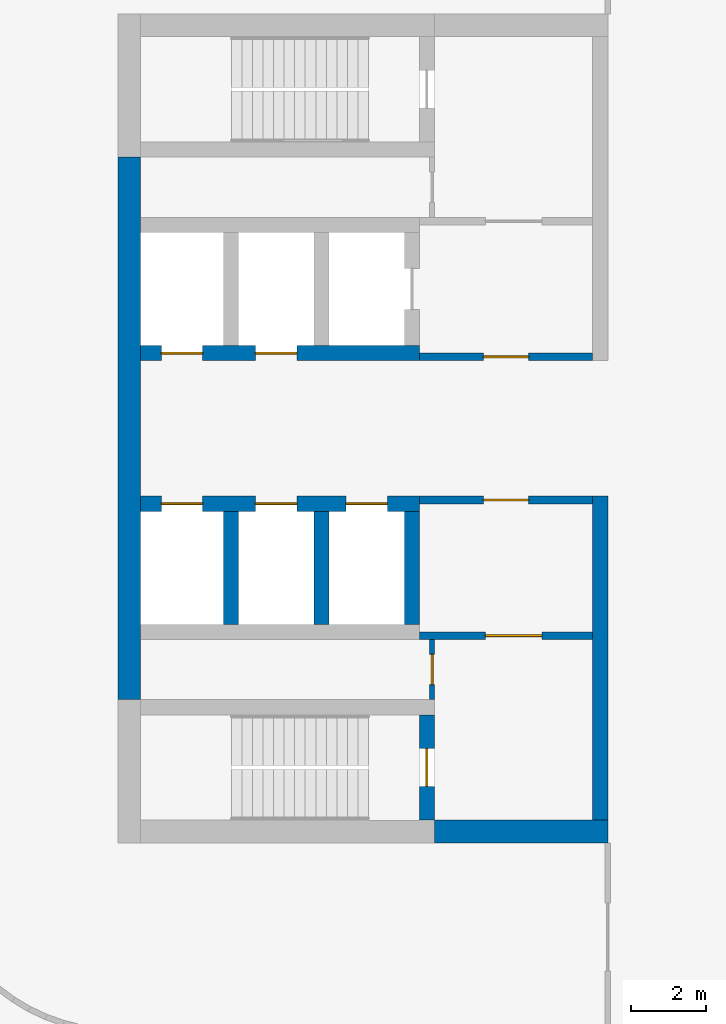
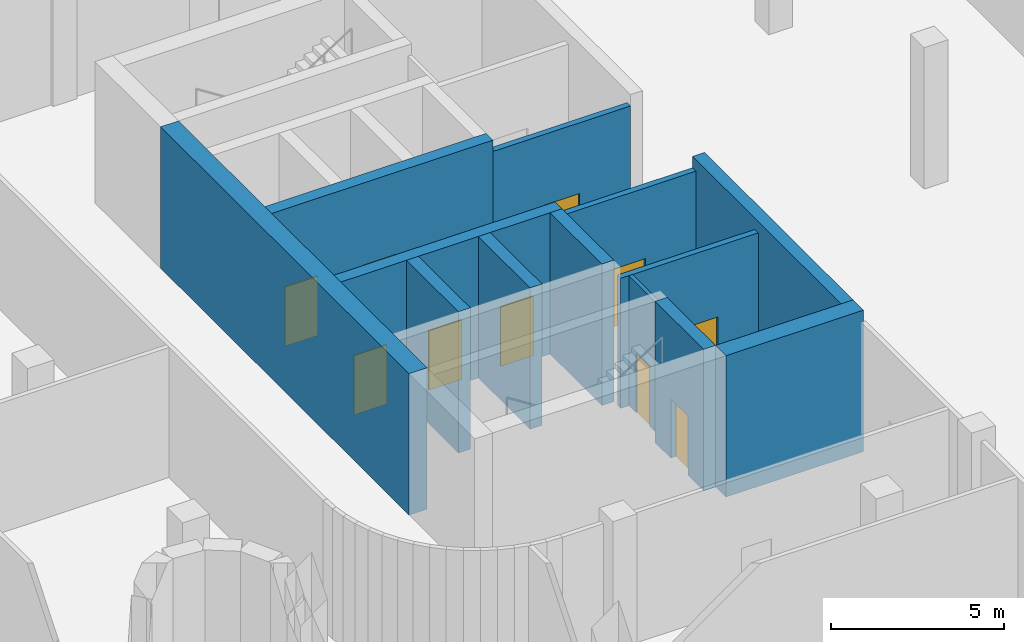
# One storey, part 15 of 24: 13 walls, 10 doors, 10 openings.
"""IFC4 building model written with IfcOpenShell, lengths in metres."""

from ifc_helpers import new_model, si_unit, direction, frame, frame_2d, origin, place, context, subcontext, project, spatial, rectangle, extrude, material, layer, layer_set, type_object, element, fill, save


model = new_model("IFC4")

# Units and contexts
model_context = context("Model", 3, precision=1e-05, world=origin(), true_north=direction((0.0, 1.0)))
body_context = subcontext(model_context, "Body", "Model", "MODEL_VIEW")
ifc_project = project(units=[si_unit("LENGTHUNIT", "METRE"), si_unit("AREAUNIT", "SQUARE_METRE"), si_unit("VOLUMEUNIT", "CUBIC_METRE"), si_unit("PLANEANGLEUNIT", "RADIAN"), si_unit("MASSUNIT", "GRAM", prefix="KILO")], contexts=[model_context])

# Site, building, storey
site_placement = place(None, origin())
site = spatial("IfcSite", under=ifc_project, at=site_placement, CompositionType="ELEMENT")
building_placement = place(site_placement, origin())
building = spatial("IfcBuilding", under=site, at=building_placement, Name="Skarvind Civic Tower", CompositionType="ELEMENT")
storey_placement = place(building_placement, frame((0.0, 0.0, 12.5)))
storey = spatial("IfcBuildingStorey", under=building, at=storey_placement, Name="L02", CompositionType="ELEMENT", Elevation=12.5)

# Wall, opening, door
ifc_material_1 = material(Name="Fire-rated masonry partition", Category="masonry")
ifc_layer_1 = layer(ifc_material_1, 0.199951171875)
ifc_layer_set_1 = layer_set([ifc_layer_1], Name="Core enclosure wall 200")
wall_type_1 = type_object("IfcWallType", Name="Core enclosure wall 200", PredefinedType="PARTITIONING", material=ifc_layer_set_1)
wall_1_placement = place(storey_placement, frame((135.0, 129.89990234375, 0.0), z_axis=(0.0, 0.0, 1.0), x_axis=(1.0, 0.0, 0.0)))
wall_1 = element("IfcWall", 1, at=wall_1_placement, inside=storey, type_object=wall_type_1, Name="Core wall CA", PredefinedType="PARTITIONING", context=body_context, shape_type="SweptSolid", body=[
    extrude(rectangle(XDim=4.60009765625, YDim=0.199951171875, at=frame_2d((2.300048828125, 0.0))), origin(), (0.0, 0.0, 1.0), 4.60009765625),
])
opening_1_placement = place(wall_1_placement, frame((1.699951171875, 0.0, 0.0)))
opening_1 = element("IfcOpeningElement", 2, at=opening_1_placement, cuts=wall_1, Name="Opening D-L02-CA-06", PredefinedType="OPENING", context=body_context, shape_type="SweptSolid", body=[
    extrude(rectangle(XDim=1.199951171875, YDim=2.10009765625, at=frame_2d((0.60009765625, 1.050048828125))), frame((0.0, 0.10986328125, 0.0), z_axis=(0.0, -1.0, 0.0), x_axis=(1.0, 0.0, 0.0)), (0.0, 0.0, 1.0), 0.219970703125),
])
ifc_material_2 = material(Name="Fire-rated steel door", Category="steel")
door_type_1 = type_object("IfcDoorType", Name="Core lobby door 1200", OperationType="NOTDEFINED", PredefinedType="DOOR", material=ifc_material_2)
door_1_placement = place(opening_1_placement, origin())
door_1 = element("IfcDoor", 3, at=door_1_placement, inside=storey, type_object=door_type_1, Name="Fire door", OperationType="DOUBLE_DOOR_SINGLE_SWING", OverallHeight=2.10009765625, OverallWidth=1.199951171875, PredefinedType="DOOR", context=body_context, shape_type="SweptSolid", body=[
    extrude(rectangle(XDim=1.199951171875, YDim=2.10009765625, at=frame_2d((0.60009765625, 1.050048828125))), frame((0.0, 0.02490234375, 0.0), z_axis=(0.0, -1.0, 0.0), x_axis=(1.0, 0.0, 0.0)), (0.0, 0.0, 1.0), 0.050048828125),
])
fill(opening_1, door_1)

wall_2_placement = place(storey_placement, frame((139.60009765625, 126.10009765625, 0.0), z_axis=(0.0, 0.0, 1.0), x_axis=(-1.0, 0.0, 0.0)))
wall_2 = element("IfcWall", 4, at=wall_2_placement, inside=storey, type_object=wall_type_1, Name="Core wall CA", PredefinedType="PARTITIONING", context=body_context, shape_type="SweptSolid", body=[
    extrude(rectangle(XDim=4.60009765625, YDim=0.199951171875, at=frame_2d((2.300048828125, 0.0))), origin(), (0.0, 0.0, 1.0), 4.60009765625),
])
opening_2_placement = place(wall_2_placement, frame((1.699951171875, 0.0, 0.0)))
opening_2 = element("IfcOpeningElement", 5, at=opening_2_placement, cuts=wall_2, Name="Opening D-L02-CA-10", PredefinedType="OPENING", context=body_context, shape_type="SweptSolid", body=[
    extrude(rectangle(XDim=1.199951171875, YDim=2.10009765625, at=frame_2d((0.60009765625, 1.050048828125))), frame((0.0, 0.10986328125, 0.0), z_axis=(0.0, -1.0, 0.0), x_axis=(1.0, 0.0, 0.0)), (0.0, 0.0, 1.0), 0.219970703125),
])
door_2_placement = place(opening_2_placement, origin())
door_2 = element("IfcDoor", 6, at=door_2_placement, inside=storey, type_object=door_type_1, Name="Fire door", OperationType="DOUBLE_DOOR_SINGLE_SWING", OverallHeight=2.10009765625, OverallWidth=1.199951171875, PredefinedType="DOOR", context=body_context, shape_type="SweptSolid", body=[
    extrude(rectangle(XDim=1.199951171875, YDim=2.10009765625, at=frame_2d((0.60009765625, 1.050048828125))), frame((0.0, 0.02490234375, 0.0), z_axis=(0.0, -1.0, 0.0), x_axis=(1.0, 0.0, 0.0)), (0.0, 0.0, 1.0), 0.050048828125),
])
fill(opening_2, door_2)

wall_3_placement = place(storey_placement, frame((139.60009765625, 122.5, 0.0), z_axis=(0.0, 0.0, 1.0), x_axis=(-1.0, 0.0, 0.0)))
wall_3 = element("IfcWall", 7, at=wall_3_placement, inside=storey, type_object=wall_type_1, Name="Core wall CA", PredefinedType="PARTITIONING", context=body_context, shape_type="SweptSolid", body=[
    extrude(rectangle(XDim=4.60009765625, YDim=0.199951171875, at=frame_2d((2.300048828125, 0.0))), origin(), (0.0, 0.0, 1.0), 4.60009765625),
])
opening_3_placement = place(wall_3_placement, frame((1.35009765625, 0.0, 0.0)))
opening_3 = element("IfcOpeningElement", 8, at=opening_3_placement, cuts=wall_3, Name="Opening D-L02-CA-11", PredefinedType="OPENING", context=body_context, shape_type="SweptSolid", body=[
    extrude(rectangle(XDim=1.5, YDim=2.10009765625, at=frame_2d((0.75, 1.050048828125))), frame((0.0, 0.10986328125, 0.0), z_axis=(0.0, -1.0, 0.0), x_axis=(1.0, 0.0, 0.0)), (0.0, 0.0, 1.0), 0.219970703125),
])
door_type_2 = type_object("IfcDoorType", Name="Fire door 1500", OperationType="NOTDEFINED", PredefinedType="DOOR", material=ifc_material_2)
door_3_placement = place(opening_3_placement, origin())
door_3 = element("IfcDoor", 9, at=door_3_placement, inside=storey, type_object=door_type_2, Name="Fire door", OperationType="DOUBLE_DOOR_SINGLE_SWING", OverallHeight=2.10009765625, OverallWidth=1.5, PredefinedType="DOOR", context=body_context, shape_type="SweptSolid", body=[
    extrude(rectangle(XDim=1.5, YDim=2.10009765625, at=frame_2d((0.75, 1.050048828125))), frame((0.0, 0.02490234375, 0.0), z_axis=(0.0, -1.0, 0.0), x_axis=(1.0, 0.0, 0.0)), (0.0, 0.0, 1.0), 0.050048828125),
])
fill(opening_3, door_3)

ifc_material_3 = material(Name="Concrete C80", Category="concrete")
ifc_layer_2 = layer(ifc_material_3, 0.39990234375)
ifc_layer_set_2 = layer_set([ifc_layer_2], Name="Core wall 400 C80")
wall_type_2 = type_object("IfcWallType", Name="Core wall 400 C80", PredefinedType="SHEAR", material=ifc_layer_set_2)
wall_4_placement = place(storey_placement, frame((135.199951171875, 117.60009765625, 0.0), z_axis=(0.0, 0.0, 1.0), x_axis=(0.0, 1.0, 0.0)))
wall_4 = element("IfcWall", 10, at=wall_4_placement, inside=storey, type_object=wall_type_2, Name="Core wall CA south stair end L02", PredefinedType="SHEAR", context=body_context, shape_type="SweptSolid", body=[
    extrude(rectangle(XDim=2.7998046875, YDim=0.39990234375, at=frame_2d((1.39990234375, 0.0))), origin(), (0.0, 0.0, 1.0), 5.0),
])
opening_4_placement = place(wall_4_placement, frame((0.89990234375, 0.0, 0.0)))
opening_4 = element("IfcOpeningElement", 11, at=opening_4_placement, cuts=wall_4, Name="Opening D-L02-CA-12", PredefinedType="OPENING", context=body_context, shape_type="SweptSolid", body=[
    extrude(rectangle(XDim=1.0, YDim=2.10009765625, at=frame_2d((0.5, 1.050048828125))), frame((0.0, 0.2099609375, 0.0), z_axis=(0.0, -1.0, 0.0), x_axis=(1.0, 0.0, 0.0)), (0.0, 0.0, 1.0), 0.419921875),
])
door_type_3 = type_object("IfcDoorType", Name="Fire door 1000", OperationType="NOTDEFINED", PredefinedType="DOOR", material=ifc_material_2)
door_4_placement = place(opening_4_placement, origin())
door_4 = element("IfcDoor", 12, at=door_4_placement, inside=storey, type_object=door_type_3, Name="Fire door", OperationType="SINGLE_SWING_RIGHT", OverallHeight=2.10009765625, OverallWidth=1.0, PredefinedType="DOOR", context=body_context, shape_type="SweptSolid", body=[
    extrude(rectangle(XDim=1.0, YDim=2.10009765625, at=frame_2d((0.5, 1.050048828125))), frame((0.0, 0.02490234375, 0.0), z_axis=(0.0, -1.0, 0.0), x_axis=(1.0, 0.0, 0.0)), (0.0, 0.0, 1.0), 0.050048828125),
])
fill(opening_4, door_4)

# Wall, openings, doors
wall_5_placement = place(storey_placement, frame((127.60009765625, 126.0, 0.0), z_axis=(0.0, 0.0, 1.0), x_axis=(1.0, 0.0, 0.0)))
wall_5 = element("IfcWall", 13, at=wall_5_placement, inside=storey, type_object=wall_type_2, Name="Core wall CA south lift row front L02", PredefinedType="SHEAR", context=body_context, shape_type="SweptSolid", body=[
    extrude(rectangle(XDim=7.39990234375, YDim=0.39990234375, at=frame_2d((3.699951171875, 0.0))), origin(), (0.0, 0.0, 1.0), 5.0),
])
opening_5_placement = place(wall_5_placement, frame((0.550048828125, 0.0, 0.0)))
opening_5 = element("IfcOpeningElement", 14, at=opening_5_placement, cuts=wall_5, Name="Opening LD04304", PredefinedType="OPENING", context=body_context, shape_type="SweptSolid", body=[
    extrude(rectangle(XDim=1.10009765625, YDim=2.10009765625, at=frame_2d((0.550048828125, 1.050048828125))), frame((0.0, 0.2099609375, 0.0), z_axis=(0.0, -1.0, 0.0), x_axis=(1.0, 0.0, 0.0)), (0.0, 0.0, 1.0), 0.419921875),
])
opening_6_placement = place(wall_5_placement, frame((3.050048828125, 0.0, 0.0)))
opening_6 = element("IfcOpeningElement", 15, at=opening_6_placement, cuts=wall_5, Name="Opening LD04305", PredefinedType="OPENING", context=body_context, shape_type="SweptSolid", body=[
    extrude(rectangle(XDim=1.10009765625, YDim=2.10009765625, at=frame_2d((0.550048828125, 1.050048828125))), frame((0.0, 0.2099609375, 0.0), z_axis=(0.0, -1.0, 0.0), x_axis=(1.0, 0.0, 0.0)), (0.0, 0.0, 1.0), 0.419921875),
])
opening_7_placement = place(wall_5_placement, frame((5.449951171875, 0.0, 0.0)))
opening_7 = element("IfcOpeningElement", 16, at=opening_7_placement, cuts=wall_5, Name="Opening LD04306", PredefinedType="OPENING", context=body_context, shape_type="SweptSolid", body=[
    extrude(rectangle(XDim=1.10009765625, YDim=2.10009765625, at=frame_2d((0.550048828125, 1.050048828125))), frame((0.0, 0.2099609375, 0.0), z_axis=(0.0, -1.0, 0.0), x_axis=(1.0, 0.0, 0.0)), (0.0, 0.0, 1.0), 0.419921875),
])
ifc_material_4 = material(Name="Stainless steel landing door", Category="steel")
door_type_4 = type_object("IfcDoorType", Name="Lift landing door 1100", OperationType="DOUBLE_DOOR_SLIDING", PredefinedType="DOOR", material=ifc_material_4)
door_5_placement = place(opening_5_placement, origin())
door_5 = element("IfcDoor", 17, at=door_5_placement, inside=storey, type_object=door_type_4, Name="Lift landing door", OperationType="DOUBLE_DOOR_SLIDING", OverallHeight=2.10009765625, OverallWidth=1.10009765625, PredefinedType="DOOR", context=body_context, shape_type="SweptSolid", body=[
    extrude(rectangle(XDim=1.10009765625, YDim=2.10009765625, at=frame_2d((0.550048828125, 1.050048828125))), frame((0.0, 0.02490234375, 0.0), z_axis=(0.0, -1.0, 0.0), x_axis=(1.0, 0.0, 0.0)), (0.0, 0.0, 1.0), 0.050048828125),
])
fill(opening_5, door_5)
door_6_placement = place(opening_6_placement, origin())
door_6 = element("IfcDoor", 18, at=door_6_placement, inside=storey, type_object=door_type_4, Name="Lift landing door", OperationType="DOUBLE_DOOR_SLIDING", OverallHeight=2.10009765625, OverallWidth=1.10009765625, PredefinedType="DOOR", context=body_context, shape_type="SweptSolid", body=[
    extrude(rectangle(XDim=1.10009765625, YDim=2.10009765625, at=frame_2d((0.550048828125, 1.050048828125))), frame((0.0, 0.02490234375, 0.0), z_axis=(0.0, -1.0, 0.0), x_axis=(1.0, 0.0, 0.0)), (0.0, 0.0, 1.0), 0.050048828125),
])
fill(opening_6, door_6)
door_7_placement = place(opening_7_placement, origin())
door_7 = element("IfcDoor", 19, at=door_7_placement, inside=storey, type_object=door_type_4, Name="Lift landing door", OperationType="DOUBLE_DOOR_SLIDING", OverallHeight=2.10009765625, OverallWidth=1.10009765625, PredefinedType="DOOR", context=body_context, shape_type="SweptSolid", body=[
    extrude(rectangle(XDim=1.10009765625, YDim=2.10009765625, at=frame_2d((0.550048828125, 1.050048828125))), frame((0.0, 0.02490234375, 0.0), z_axis=(0.0, -1.0, 0.0), x_axis=(1.0, 0.0, 0.0)), (0.0, 0.0, 1.0), 0.050048828125),
])
fill(opening_7, door_7)

# Walls
for number, where, z_axis, x_axis, name in (
    (20, (130.0, 122.800048828125, 0.0), (0.0, 0.0, 1.0), (0.0, 1.0, 0.0), "Core wall CA south lift row division 1 L02"),
    (21, (132.39990234375, 122.800048828125, 0.0), (0.0, 0.0, 1.0), (0.0, 1.0, 0.0), "Core wall CA south lift row division 2 L02"),
    (22, (134.800048828125, 122.800048828125, 0.0), (0.0, 0.0, 1.0), (0.0, 1.0, 0.0), "Core wall CA south lift row division 3 L02"),
):
    element("IfcWall", number, at=place(storey_placement, frame(where, z_axis=z_axis, x_axis=x_axis)), inside=storey, type_object=wall_type_2, Name=name, PredefinedType="SHEAR", context=body_context, shape_type="SweptSolid", body=[
        extrude(rectangle(XDim=3.0, YDim=0.39990234375, at=frame_2d((1.5, 0.0))), origin(), (0.0, 0.0, 1.0), 5.0),
    ])

# Wall, openings, doors
wall_6_placement = place(storey_placement, frame((127.60009765625, 130.0, 0.0), z_axis=(0.0, 0.0, 1.0), x_axis=(1.0, 0.0, 0.0)))
wall_6 = element("IfcWall", 23, at=wall_6_placement, inside=storey, type_object=wall_type_2, Name="Core wall CA north lift row front L02", PredefinedType="SHEAR", context=body_context, shape_type="SweptSolid", body=[
    extrude(rectangle(XDim=7.39990234375, YDim=0.39990234375, at=frame_2d((3.699951171875, 0.0))), origin(), (0.0, 0.0, 1.0), 5.0),
])
opening_8_placement = place(wall_6_placement, frame((0.550048828125, 0.0, 0.0)))
opening_8 = element("IfcOpeningElement", 24, at=opening_8_placement, cuts=wall_6, Name="Opening LD04301", PredefinedType="OPENING", context=body_context, shape_type="SweptSolid", body=[
    extrude(rectangle(XDim=1.10009765625, YDim=2.10009765625, at=frame_2d((0.550048828125, 1.050048828125))), frame((0.0, 0.2099609375, 0.0), z_axis=(0.0, -1.0, 0.0), x_axis=(1.0, 0.0, 0.0)), (0.0, 0.0, 1.0), 0.419921875),
])
opening_9_placement = place(wall_6_placement, frame((3.050048828125, 0.0, 0.0)))
opening_9 = element("IfcOpeningElement", 25, at=opening_9_placement, cuts=wall_6, Name="Opening LD04302", PredefinedType="OPENING", context=body_context, shape_type="SweptSolid", body=[
    extrude(rectangle(XDim=1.10009765625, YDim=2.10009765625, at=frame_2d((0.550048828125, 1.050048828125))), frame((0.0, 0.2099609375, 0.0), z_axis=(0.0, -1.0, 0.0), x_axis=(1.0, 0.0, 0.0)), (0.0, 0.0, 1.0), 0.419921875),
])
door_8_placement = place(opening_8_placement, origin())
door_8 = element("IfcDoor", 26, at=door_8_placement, inside=storey, type_object=door_type_4, Name="Lift landing door", OperationType="DOUBLE_DOOR_SLIDING", OverallHeight=2.10009765625, OverallWidth=1.10009765625, PredefinedType="DOOR", context=body_context, shape_type="SweptSolid", body=[
    extrude(rectangle(XDim=1.10009765625, YDim=2.10009765625, at=frame_2d((0.550048828125, 1.050048828125))), frame((0.0, 0.02490234375, 0.0), z_axis=(0.0, -1.0, 0.0), x_axis=(1.0, 0.0, 0.0)), (0.0, 0.0, 1.0), 0.050048828125),
])
fill(opening_8, door_8)
door_9_placement = place(opening_9_placement, origin())
door_9 = element("IfcDoor", 27, at=door_9_placement, inside=storey, type_object=door_type_4, Name="Lift landing door", OperationType="DOUBLE_DOOR_SLIDING", OverallHeight=2.10009765625, OverallWidth=1.10009765625, PredefinedType="DOOR", context=body_context, shape_type="SweptSolid", body=[
    extrude(rectangle(XDim=1.10009765625, YDim=2.10009765625, at=frame_2d((0.550048828125, 1.050048828125))), frame((0.0, 0.02490234375, 0.0), z_axis=(0.0, -1.0, 0.0), x_axis=(1.0, 0.0, 0.0)), (0.0, 0.0, 1.0), 0.050048828125),
])
fill(opening_9, door_9)

# Walls
wall_7_placement = place(storey_placement, frame((139.800048828125, 117.60009765625, 0.0), z_axis=(0.0, 0.0, 1.0), x_axis=(0.0, 1.0, 0.0)))
element("IfcWall", 28, at=wall_7_placement, inside=storey, type_object=wall_type_2, Name="Core wall CA south inner face L02", PredefinedType="SHEAR", context=body_context, shape_type="SweptSolid", body=[
    extrude(rectangle(XDim=8.599853515625, YDim=0.39990234375, at=frame_2d((4.2998046875, 0.0))), origin(), (0.0, 0.0, 1.0), 5.0),
])
ifc_layer_3 = layer(ifc_material_3, 0.60009765625)
ifc_layer_set_3 = layer_set([ifc_layer_3], Name="Core wall 600 C80")
wall_type_3 = type_object("IfcWallType", Name="Core wall 600 C80", PredefinedType="SHEAR", material=ifc_layer_set_3)
wall_8_placement = place(storey_placement, frame((127.300048828125, 120.800048828125, 0.0), z_axis=(0.0, 0.0, 1.0), x_axis=(0.0, 1.0, 0.0)))
element("IfcWall", 29, at=wall_8_placement, inside=storey, type_object=wall_type_3, Name="Core wall CA tip between the stairs L02", PredefinedType="SHEAR", context=body_context, shape_type="SweptSolid", body=[
    extrude(rectangle(XDim=14.39990234375, YDim=0.60009765625, at=frame_2d((7.199951171875, 0.0))), origin(), (0.0, 0.0, 1.0), 5.0),
])
wall_9_placement = place(storey_placement, frame((135.39990234375, 117.300048828125, 0.0), z_axis=(0.0, 0.0, 1.0), x_axis=(1.0, 0.0, 0.0)))
element("IfcWall", 30, at=wall_9_placement, inside=storey, type_object=wall_type_3, Name="Core wall CA south side L02", PredefinedType="SHEAR", context=body_context, shape_type="SweptSolid", body=[
    extrude(rectangle(XDim=4.60009765625, YDim=0.60009765625, at=frame_2d((2.300048828125, 0.0))), origin(), (0.0, 0.0, 1.0), 5.0),
])

# Wall, opening, door
ifc_layer_4 = layer(ifc_material_1, 0.125)
ifc_layer_set_4 = layer_set([ifc_layer_4], Name="Riser wall 125")
wall_type_4 = type_object("IfcWallType", Name="Riser wall 125", PredefinedType="PARTITIONING", material=ifc_layer_set_4)
wall_10_placement = place(storey_placement, frame((135.33740234375, 122.39990234375, 0.0), z_axis=(0.0, 0.0, 1.0), x_axis=(0.0, -1.0, 0.0)))
wall_10 = element("IfcWall", 31, at=wall_10_placement, inside=storey, type_object=wall_type_4, Name="Core wall CA", PredefinedType="PARTITIONING", context=body_context, shape_type="SweptSolid", body=[
    extrude(rectangle(XDim=1.599853515625, YDim=0.125, at=frame_2d((0.7998046875, 0.0))), origin(), (0.0, 0.0, 1.0), 4.60009765625),
])
opening_10_placement = place(wall_10_placement, frame((0.39990234375, 0.0, 0.0)))
opening_10 = element("IfcOpeningElement", 32, at=opening_10_placement, cuts=wall_10, Name="Opening D-L02-CA-13", PredefinedType="OPENING", context=body_context, shape_type="SweptSolid", body=[
    extrude(rectangle(XDim=0.800048828125, YDim=2.10009765625, at=frame_2d((0.39990234375, 1.050048828125))), frame((0.0, 0.072509765625, 0.0), z_axis=(0.0, -1.0, 0.0), x_axis=(1.0, 0.0, 0.0)), (0.0, 0.0, 1.0), 0.14501953125),
])
door_type_5 = type_object("IfcDoorType", Name="Core riser door 800", OperationType="NOTDEFINED", PredefinedType="DOOR", material=ifc_material_2)
door_10_placement = place(opening_10_placement, origin())
door_10 = element("IfcDoor", 33, at=door_10_placement, inside=storey, type_object=door_type_5, Name="Riser door", OperationType="SINGLE_SWING_LEFT", OverallHeight=2.10009765625, OverallWidth=0.800048828125, PredefinedType="DOOR", context=body_context, shape_type="SweptSolid", body=[
    extrude(rectangle(XDim=0.800048828125, YDim=2.10009765625, at=frame_2d((0.39990234375, 1.050048828125))), frame((0.0, 0.02490234375, 0.0), z_axis=(0.0, -1.0, 0.0), x_axis=(1.0, 0.0, 0.0)), (0.0, 0.0, 1.0), 0.050048828125),
])
fill(opening_10, door_10)

save(model, "model.ifc")
